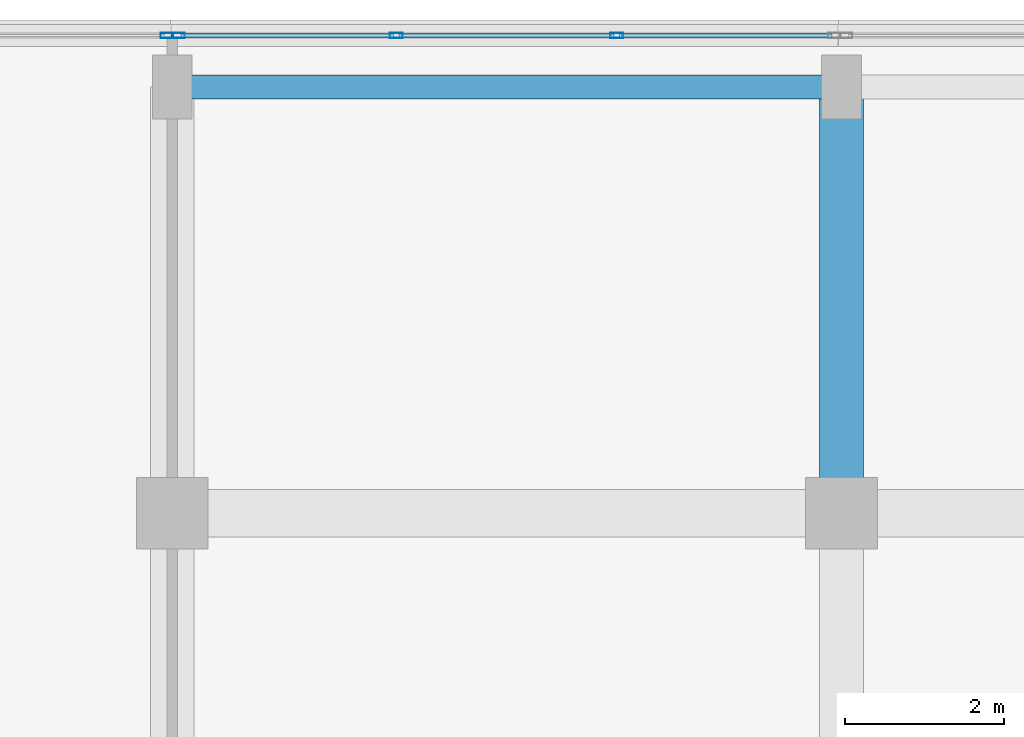
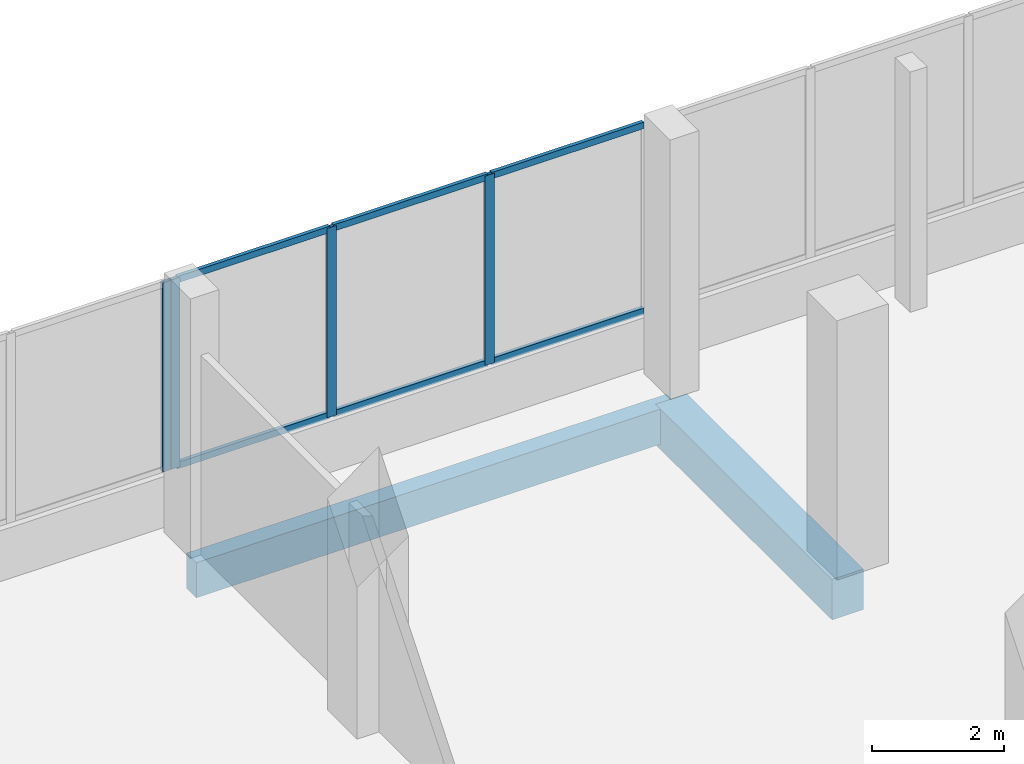
# One storey, part 78 of 168: 10 members, 2 beams, 2 elements without a shape of their own.
"""IFC4 building model written with IfcOpenShell, lengths in metres."""

from ifc_helpers import new_model, si_unit, direction, frame, origin, origin_2d, place, context, subcontext, project, spatial, rectangle, hollow_rectangle, extrude, material, material_profile, profile_set, type_object, element, aggregate, save


model = new_model("IFC4")

# Units and contexts
model_context = context("Model", 3, precision=1e-05, world=origin(), true_north=direction((0.0, 1.0)))
body_context = subcontext(model_context, "Body", "Model", "MODEL_VIEW")
ifc_project = project(units=[si_unit("LENGTHUNIT", "METRE"), si_unit("AREAUNIT", "SQUARE_METRE"), si_unit("VOLUMEUNIT", "CUBIC_METRE"), si_unit("PLANEANGLEUNIT", "RADIAN"), si_unit("MASSUNIT", "GRAM", prefix="KILO")], contexts=[model_context])

# Site, building, storey
site_placement = place(None, origin())
site = spatial("IfcSite", under=ifc_project, at=site_placement, CompositionType="ELEMENT")
building_placement = place(site_placement, origin())
building = spatial("IfcBuilding", under=site, at=building_placement, Name="Selatvlak General Hospital", CompositionType="ELEMENT")
storey_placement = place(building_placement, frame((0.0, 0.0, 5.39990234375)))
storey = spatial("IfcBuildingStorey", under=building, at=storey_placement, Name="L01", CompositionType="ELEMENT", Elevation=5.39990234375)

# Beams
ifc_material_1 = material(Name="Concrete C40/50", Category="concrete")
ifc_material_profile_1 = material_profile(ifc_material_1, rectangle(XDim=0.550048828125, YDim=0.75, at=origin_2d()), Name="RC-BM 550x750")
ifc_profile_set_1 = profile_set([ifc_material_profile_1], Name="Concrete C40/50")
beam_type_1 = type_object("IfcBeamType", Name="BM-G02", PredefinedType="BEAM", material=ifc_profile_set_1)
beam_1_placement = place(storey_placement, frame((31.199951171875, 114.0, -0.69482421875), z_axis=(0.0, 1.0, 0.0), x_axis=(-1.0, 0.0, 0.0)))
element("IfcBeam", 1, at=beam_1_placement, inside=storey, type_object=beam_type_1, Name="Beam BMR-L01-0558", PredefinedType="BEAM", context=body_context, shape_type="SweptSolid", body=[
    extrude(rectangle(XDim=0.550048828125, YDim=0.75, at=origin_2d()), origin(), (0.0, 0.0, 1.0), 5.35009765625),
])
ifc_material_profile_2 = material_profile(ifc_material_1, rectangle(XDim=0.300048828125, YDim=0.64990234375, at=origin_2d()), Name="RC-SP 300x650")
ifc_profile_set_2 = profile_set([ifc_material_profile_2], Name="Concrete C40/50")
beam_type_2 = type_object("IfcBeamType", Name="BM-SP1", PredefinedType="SPANDREL", material=ifc_profile_set_2)
beam_2_placement = place(storey_placement, frame((22.800048828125, 119.35009765625, -0.64501953125), z_axis=(1.0, 0.0, 0.0), x_axis=(0.0, 1.0, 0.0)))
element("IfcBeam", 2, at=beam_2_placement, inside=storey, type_object=beam_type_2, Name="Beam BMR-L01-0526", PredefinedType="SPANDREL", context=body_context, shape_type="SweptSolid", body=[
    extrude(rectangle(XDim=0.300048828125, YDim=0.64990234375, at=origin_2d()), origin(), (0.0, 0.0, 1.0), 8.39990234375),
])

# Curtain wall, member
ifc_material_2 = material(Name="Solar-control Low-E double glazing", Category="glass")
curtain_wall_type_1 = type_object("IfcCurtainWallType", Name="CW-CW-01", PredefinedType="USERDEFINED", material=ifc_material_2)
curtain_wall_1_placement = place(storey_placement, origin())
curtain_wall_1 = element("IfcCurtainWall", 3, at=curtain_wall_1_placement, inside=storey, type_object=curtain_wall_type_1, Name="Glazed facade curtain wall CW-L01-0112", ObjectType="UNITISED CURTAIN WALL", PredefinedType="USERDEFINED")
ifc_material_3 = material(Name="Dark anodised aluminium mullion", Category="aluminium")
ifc_material_profile_3 = material_profile(ifc_material_3, hollow_rectangle(XDim=0.06494140625, YDim=0.159912109375, WallThickness=0.00390625, at=origin_2d()), Name="AL-MUL 65x160x4")
ifc_profile_set_3 = profile_set([ifc_material_profile_3], Name="Dark anodised aluminium mullion")
member_type_1 = type_object("IfcMemberType", Name="CWM-01", PredefinedType="MULLION", material=ifc_profile_set_3)
member_1_placement = place(storey_placement, frame((22.732421875, 119.9990234375, 0.940185546875), z_axis=(0.0, 0.0, 1.0), x_axis=(0.0, 1.0, 0.0)))
member_1 = element("IfcMember", 4, at=member_1_placement, type_object=member_type_1, Name="CW-01 mullion 4", PredefinedType="MULLION", context=body_context, shape_type="SweptSolid", body=[
    extrude(hollow_rectangle(XDim=0.06494140625, YDim=0.159912109375, WallThickness=0.00390625, at=origin_2d()), origin(), (0.0, 0.0, 1.0), 3.5048828125),
])
aggregate(curtain_wall_1, [member_1])

# Curtain wall, members
curtain_wall_type_2 = type_object("IfcCurtainWallType", Name="CW-CW-02", PredefinedType="USERDEFINED", material=ifc_material_2)
curtain_wall_2_placement = place(storey_placement, origin())
curtain_wall_2 = element("IfcCurtainWall", 5, at=curtain_wall_2_placement, inside=storey, type_object=curtain_wall_type_2, Name="Glazed facade curtain wall CW-L01-0113", ObjectType="UNITISED CURTAIN WALL", PredefinedType="USERDEFINED")
member_2_placement = place(storey_placement, frame((22.87744140625, 119.9990234375, 0.940185546875), z_axis=(0.0, 0.0, 1.0), x_axis=(0.0, 1.0, 0.0)))
member_2 = element("IfcMember", 6, at=member_2_placement, type_object=member_type_1, Name="CW-02 mullion 1", PredefinedType="MULLION", context=body_context, shape_type="SweptSolid", body=[
    extrude(hollow_rectangle(XDim=0.06494140625, YDim=0.159912109375, WallThickness=0.00390625, at=origin_2d()), origin(), (0.0, 0.0, 1.0), 3.5048828125),
])
member_3_placement = place(storey_placement, frame((25.611572265625, 119.9990234375, 0.940185546875), z_axis=(0.0, 0.0, 1.0), x_axis=(0.0, 1.0, 0.0)))
member_3 = element("IfcMember", 7, at=member_3_placement, type_object=member_type_1, Name="CW-02 mullion 2", PredefinedType="MULLION", context=body_context, shape_type="SweptSolid", body=[
    extrude(hollow_rectangle(XDim=0.06494140625, YDim=0.159912109375, WallThickness=0.00390625, at=origin_2d()), origin(), (0.0, 0.0, 1.0), 3.5048828125),
])
member_4_placement = place(storey_placement, frame((28.37841796875, 119.9990234375, 0.940185546875), z_axis=(0.0, 0.0, 1.0), x_axis=(0.0, 1.0, 0.0)))
member_4 = element("IfcMember", 8, at=member_4_placement, type_object=member_type_1, Name="CW-02 mullion 3", PredefinedType="MULLION", context=body_context, shape_type="SweptSolid", body=[
    extrude(hollow_rectangle(XDim=0.06494140625, YDim=0.159912109375, WallThickness=0.00390625, at=origin_2d()), origin(), (0.0, 0.0, 1.0), 3.5048828125),
])
ifc_material_profile_4 = material_profile(ifc_material_3, hollow_rectangle(XDim=0.06494140625, YDim=0.1201171875, WallThickness=0.00390625, at=origin_2d()), Name="AL-TRN 65x120x4")
ifc_profile_set_4 = profile_set([ifc_material_profile_4], Name="Dark anodised aluminium mullion")
member_type_2 = type_object("IfcMemberType", Name="CWT-01", PredefinedType="USERDEFINED", material=ifc_profile_set_4)
member_5_placement = place(storey_placement, frame((22.909912109375, 119.9990234375, 0.97265625), z_axis=(1.0, 0.0, 0.0), x_axis=(0.0, 1.0, 0.0)))
member_5 = element("IfcMember", 9, at=member_5_placement, type_object=member_type_2, Name="CW-02 transom 1.1", ObjectType="TRANSOM", PredefinedType="USERDEFINED", context=body_context, shape_type="SweptSolid", body=[
    extrude(hollow_rectangle(XDim=0.06494140625, YDim=0.1201171875, WallThickness=0.00390625, at=origin_2d()), origin(), (0.0, 0.0, 1.0), 2.669189453125),
])
member_6_placement = place(storey_placement, frame((22.909912109375, 119.9990234375, 4.41259765625), z_axis=(1.0, 0.0, 0.0), x_axis=(0.0, 1.0, 0.0)))
member_6 = element("IfcMember", 10, at=member_6_placement, type_object=member_type_2, Name="CW-02 transom 1.2", ObjectType="TRANSOM", PredefinedType="USERDEFINED", context=body_context, shape_type="SweptSolid", body=[
    extrude(hollow_rectangle(XDim=0.06494140625, YDim=0.1201171875, WallThickness=0.00390625, at=origin_2d()), origin(), (0.0, 0.0, 1.0), 2.669189453125),
])
member_7_placement = place(storey_placement, frame((25.644287109375, 119.9990234375, 0.97265625), z_axis=(1.0, 0.0, 0.0), x_axis=(0.0, 1.0, 0.0)))
member_7 = element("IfcMember", 11, at=member_7_placement, type_object=member_type_2, Name="CW-02 transom 2.1", ObjectType="TRANSOM", PredefinedType="USERDEFINED", context=body_context, shape_type="SweptSolid", body=[
    extrude(hollow_rectangle(XDim=0.06494140625, YDim=0.1201171875, WallThickness=0.00390625, at=origin_2d()), origin(), (0.0, 0.0, 1.0), 2.70166015625),
])
member_8_placement = place(storey_placement, frame((25.644287109375, 119.9990234375, 4.41259765625), z_axis=(1.0, 0.0, 0.0), x_axis=(0.0, 1.0, 0.0)))
member_8 = element("IfcMember", 12, at=member_8_placement, type_object=member_type_2, Name="CW-02 transom 2.2", ObjectType="TRANSOM", PredefinedType="USERDEFINED", context=body_context, shape_type="SweptSolid", body=[
    extrude(hollow_rectangle(XDim=0.06494140625, YDim=0.1201171875, WallThickness=0.00390625, at=origin_2d()), origin(), (0.0, 0.0, 1.0), 2.70166015625),
])
member_9_placement = place(storey_placement, frame((28.410888671875, 119.9990234375, 0.97265625), z_axis=(1.0, 0.0, 0.0), x_axis=(0.0, 1.0, 0.0)))
member_9 = element("IfcMember", 13, at=member_9_placement, type_object=member_type_2, Name="CW-02 transom 3.1", ObjectType="TRANSOM", PredefinedType="USERDEFINED", context=body_context, shape_type="SweptSolid", body=[
    extrude(hollow_rectangle(XDim=0.06494140625, YDim=0.1201171875, WallThickness=0.00390625, at=origin_2d()), origin(), (0.0, 0.0, 1.0), 2.669189453125),
])
member_10_placement = place(storey_placement, frame((28.410888671875, 119.9990234375, 4.41259765625), z_axis=(1.0, 0.0, 0.0), x_axis=(0.0, 1.0, 0.0)))
member_10 = element("IfcMember", 14, at=member_10_placement, type_object=member_type_2, Name="CW-02 transom 3.2", ObjectType="TRANSOM", PredefinedType="USERDEFINED", context=body_context, shape_type="SweptSolid", body=[
    extrude(hollow_rectangle(XDim=0.06494140625, YDim=0.1201171875, WallThickness=0.00390625, at=origin_2d()), origin(), (0.0, 0.0, 1.0), 2.669189453125),
])
aggregate(curtain_wall_2, [member_2, member_3, member_4, member_5, member_6, member_7, member_8, member_9, member_10])

save(model, "model.ifc")
